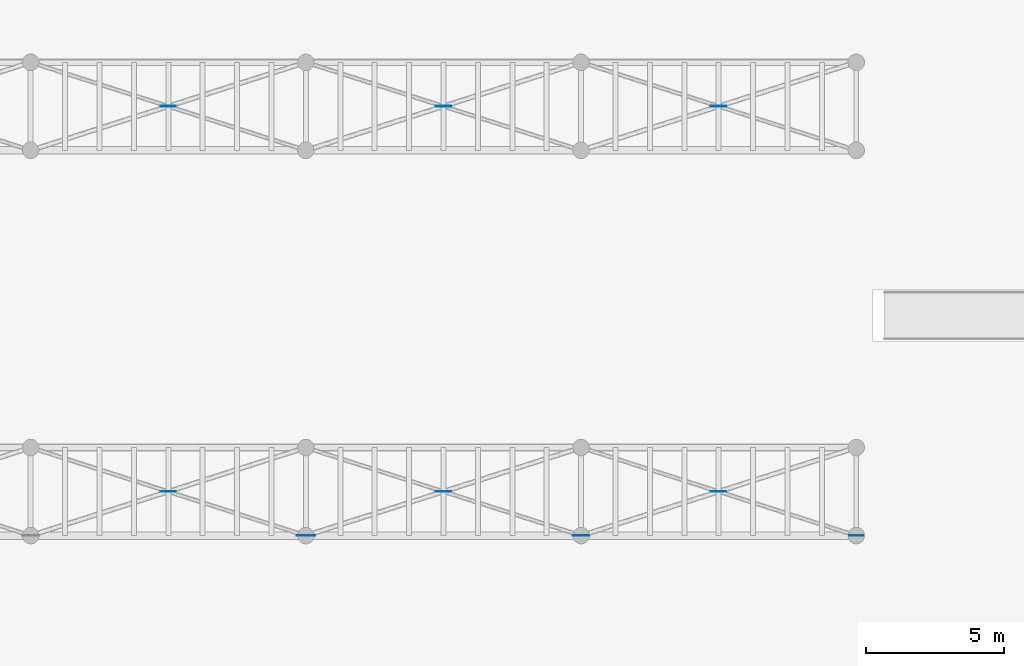
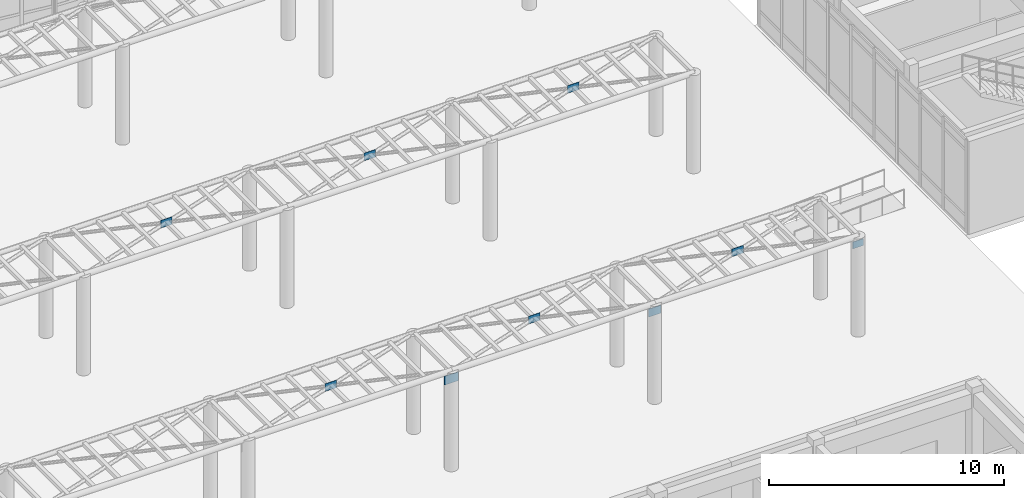
# One storey, part 92 of 121: 9 plates.
"""IFC4 building model written with IfcOpenShell, lengths in metres."""

from ifc_helpers import new_model, si_unit, direction, frame, origin, origin_2d, place, context, subcontext, project, spatial, rectangle, extrude, material, layer, layer_set, type_object, element, save


model = new_model("IFC4")

# Units and contexts
model_context = context("Model", 3, precision=1e-05, world=origin(), true_north=direction((0.0, 1.0)))
body_context = subcontext(model_context, "Body", "Model", "MODEL_VIEW")
ifc_project = project(units=[si_unit("LENGTHUNIT", "METRE"), si_unit("AREAUNIT", "SQUARE_METRE"), si_unit("VOLUMEUNIT", "CUBIC_METRE"), si_unit("PLANEANGLEUNIT", "RADIAN"), si_unit("MASSUNIT", "GRAM", prefix="KILO")], contexts=[model_context])

# Site, building, storey
site_placement = place(None, origin())
site = spatial("IfcSite", under=ifc_project, at=site_placement, CompositionType="ELEMENT")
building_placement = place(site_placement, origin())
building = spatial("IfcBuilding", under=site, at=building_placement, Name="Valcora Specialist Clinic", CompositionType="ELEMENT")
storey_placement = place(building_placement, origin())
storey = spatial("IfcBuildingStorey", under=building, at=storey_placement, Name="L00", CompositionType="ELEMENT", Elevation=0.0)

# Plates
ifc_material = material(Name="Steel ASTM A572 Grade 50", Category="steel")
ifc_layer_1 = layer(ifc_material, 0.02587890625)
ifc_layer_set_1 = layer_set([ifc_layer_1], Name="Steel ASTM A572 Grade 50")
plate_type_1 = type_object("IfcPlateType", Name="TY-PL-GS1", PredefinedType="USERDEFINED", material=ifc_layer_set_1)
plate_1_placement = place(storey_placement, frame((104.0, 34.0, 4.419921875), z_axis=(0.0, 0.0, 1.0), x_axis=(1.0, 0.0, 0.0)))
element("IfcPlate", 1, at=plate_1_placement, inside=storey, type_object=plate_type_1, Name="Pergola node gusset 7", ObjectType="GUSSET_PLATE", PredefinedType="USERDEFINED", context=body_context, shape_type="SweptSolid", body=[
    extrude(rectangle(XDim=0.679931640625, YDim=0.02587890625, at=origin_2d()), origin(), (0.0, 0.0, 1.0), 0.4599609375),
])
ifc_layer_2 = layer(ifc_material, 0.02392578125)
ifc_layer_set_2 = layer_set([ifc_layer_2], Name="Steel ASTM A572 Grade 50")
plate_type_2 = type_object("IfcPlateType", Name="TY-PL-GS2", PredefinedType="USERDEFINED", material=ifc_layer_set_2)
plate_2_placement = place(storey_placement, frame((114.0, 34.0, 4.43994140625), z_axis=(0.0, 0.0, 1.0), x_axis=(1.0, 0.0, 0.0)))
element("IfcPlate", 2, at=plate_2_placement, inside=storey, type_object=plate_type_2, Name="Pergola node gusset 8", ObjectType="GUSSET_PLATE", PredefinedType="USERDEFINED", context=body_context, shape_type="SweptSolid", body=[
    extrude(rectangle(XDim=0.60009765625, YDim=0.02392578125, at=origin_2d()), origin(), (0.0, 0.0, 1.0), 0.419921875),
])
ifc_layer_3 = layer(ifc_material, 0.02197265625)
ifc_layer_set_3 = layer_set([ifc_layer_3], Name="Steel ASTM A572 Grade 50")
plate_type_3 = type_object("IfcPlateType", Name="TY-PL-GS3", PredefinedType="USERDEFINED", material=ifc_layer_set_3)
plate_3_placement = place(storey_placement, frame((124.0, 34.0, 4.4697265625), z_axis=(0.0, 0.0, 1.0), x_axis=(1.0, 0.0, 0.0)))
element("IfcPlate", 3, at=plate_3_placement, inside=storey, type_object=plate_type_3, Name="Pergola node gusset 9", ObjectType="GUSSET_PLATE", PredefinedType="USERDEFINED", context=body_context, shape_type="SweptSolid", body=[
    extrude(rectangle(XDim=0.52001953125, YDim=0.02197265625, at=origin_2d()), origin(), (0.0, 0.0, 1.0), 0.360107421875),
])
ifc_layer_4 = layer(ifc_material, 0.02294921875)
ifc_layer_set_4 = layer_set([ifc_layer_4], Name="Steel ASTM A572 Grade 50")
plate_type_4 = type_object("IfcPlateType", Name="TY-PL-GS6", PredefinedType="USERDEFINED", material=ifc_layer_set_4)
for number, where, z_axis, x_axis, name in (
    (4, (99.0, 35.60009765625, 4.85498046875), (0.0, 0.0, 1.0), (1.0, 0.0, 0.0), "Pergola X-brace crossing gusset 94-34"),
    (5, (109.0, 35.60009765625, 4.85498046875), (0.0, 0.0, 1.0), (1.0, 0.0, 0.0), "Pergola X-brace crossing gusset 104-34"),
    (6, (119.0, 35.60009765625, 4.85498046875), (0.0, 0.0, 1.0), (1.0, 0.0, 0.0), "Pergola X-brace crossing gusset 114-34"),
    (7, (99.0, 49.60009765625, 4.85498046875), (0.0, 0.0, 1.0), (1.0, 0.0, 0.0), "Pergola X-brace crossing gusset 94-48"),
    (8, (109.0, 49.60009765625, 4.85498046875), (0.0, 0.0, 1.0), (1.0, 0.0, 0.0), "Pergola X-brace crossing gusset 104-48"),
    (9, (119.0, 49.60009765625, 4.85498046875), (0.0, 0.0, 1.0), (1.0, 0.0, 0.0), "Pergola X-brace crossing gusset 114-48"),
):
    element("IfcPlate", number, at=place(storey_placement, frame(where, z_axis=z_axis, x_axis=x_axis)), inside=storey, type_object=plate_type_4, Name=name, ObjectType="GUSSET_PLATE", PredefinedType="USERDEFINED", context=body_context, shape_type="SweptSolid", body=[
        extrude(rectangle(XDim=0.56005859375, YDim=0.02294921875, at=origin_2d()), origin(), (0.0, 0.0, 1.0), 0.389892578125),
    ])

save(model, "model.ifc")
